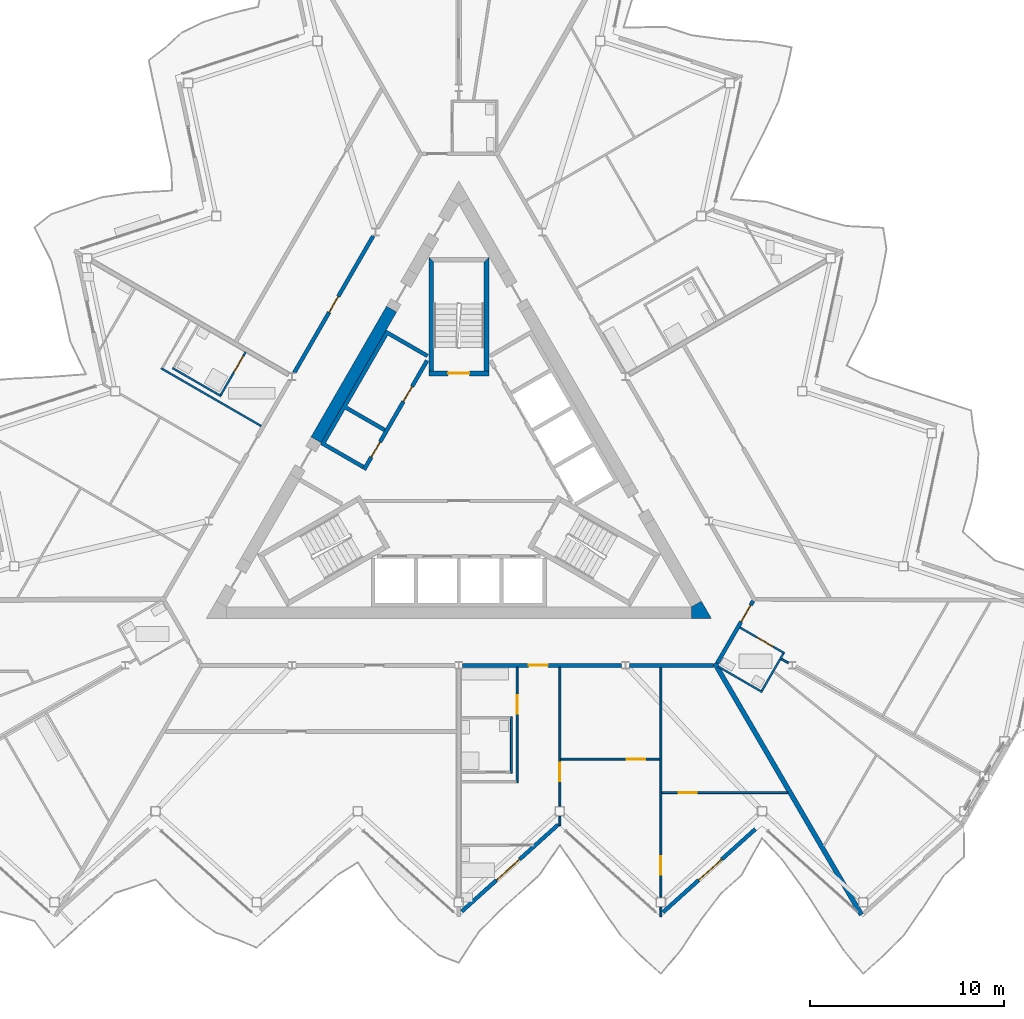
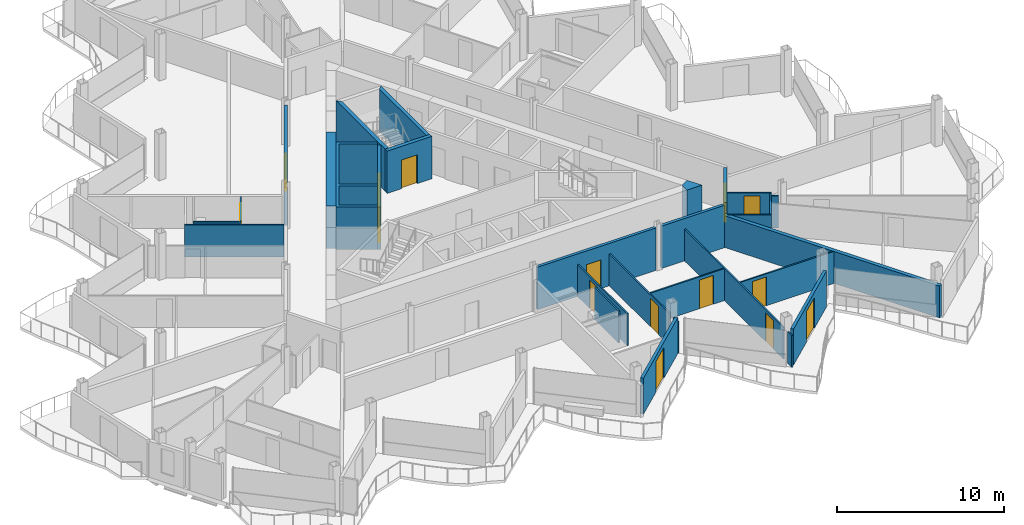
# One storey, part 14 of 26: 29 walls, 15 doors, 15 openings.
"""IFC4 building model written with IfcOpenShell, lengths in metres."""

from ifc_helpers import new_model, si_unit, direction, frame, frame_2d, origin, place, context, subcontext, project, spatial, polyline, rectangle, outline, extrude, material, layer, layer_set, type_object, element, fill, save


model = new_model("IFC4")

# Units and contexts
model_context = context("Model", 3, precision=1e-05, world=origin(), true_north=direction((0.0, 1.0)))
body_context = subcontext(model_context, "Body", "Model", "MODEL_VIEW")
ifc_project = project(units=[si_unit("LENGTHUNIT", "METRE"), si_unit("AREAUNIT", "SQUARE_METRE"), si_unit("VOLUMEUNIT", "CUBIC_METRE"), si_unit("PLANEANGLEUNIT", "RADIAN"), si_unit("MASSUNIT", "GRAM", prefix="KILO")], contexts=[model_context])

# Site, building, storey
site_placement = place(None, origin())
site = spatial("IfcSite", under=ifc_project, at=site_placement, CompositionType="ELEMENT")
building_placement = place(site_placement, origin())
building = spatial("IfcBuilding", under=site, at=building_placement, Name="Cormorant Prow Tower", CompositionType="ELEMENT")
storey_placement = place(building_placement, frame((0.0, 0.0, 364.39990234375)))
storey = spatial("IfcBuildingStorey", under=building, at=storey_placement, Name="L81", CompositionType="ELEMENT", Elevation=364.39990234375)

# Walls
ifc_material_1 = material(Name="Concrete 8000 psi", Category="concrete")
ifc_layer_1 = layer(ifc_material_1, 0.60009765625)
ifc_layer_set_1 = layer_set([ifc_layer_1], Name="Concrete 8000 psi")
wall_type_1 = type_object("IfcWallType", Name="Core shear wall 600", PredefinedType="SHEAR", material=ifc_layer_set_1)
wall_1_placement = place(storey_placement, frame((-3.460693359375, 8.416748046875, 0.0), z_axis=(0.0, 0.0, 1.0), x_axis=(-0.50000391502, -0.866023143435, 0.0)))
element("IfcWall", 1, at=wall_1_placement, inside=storey, type_object=wall_type_1, Name="Core wall", PredefinedType="SHEAR", context=body_context, shape_type="SweptSolid", body=[
    extrude(rectangle(XDim=7.7587890625, YDim=0.60009765625, at=frame_2d((3.87939453125, 0.0))), origin(), (0.0, 0.0, 1.0), 3.10009765625),
])
wall_2_placement = place(storey_placement, origin())
element("IfcWall", 2, at=wall_2_placement, inside=storey, type_object=wall_type_1, Name="Core wall corner", PredefinedType="SHEAR", context=body_context, shape_type="SweptSolid", body=[
    extrude(outline(polyline([(11.960693359375, -7.505615234375), (11.960693359375, -6.905517578125), (12.48046875, -6.605712890625), (13.0, -7.505615234375), (11.960693359375, -7.505615234375)])), origin(), (0.0, 0.0, 1.0), 3.10009765625),
])

# Wall, opening, door
ifc_material_2 = material(Name="Gypsum board corridor wall")
ifc_layer_2 = layer(ifc_material_2, 0.199951171875)
ifc_layer_set_2 = layer_set([ifc_layer_2], Name="Gypsum board corridor wall")
wall_type_2 = type_object("IfcWallType", Name="Corridor wall 200", PredefinedType="PARTITIONING", material=ifc_layer_set_2)
wall_3_placement = place(storey_placement, frame((0.197021484375, -9.905517578125, 0.0), z_axis=(0.0, 0.0, 1.0), x_axis=(1.0, 0.0, 0.0)))
wall_3 = element("IfcWall", 3, at=wall_3_placement, inside=storey, type_object=wall_type_2, Name="Corridor wall", PredefinedType="PARTITIONING", context=body_context, shape_type="SweptSolid", body=[
    extrude(rectangle(XDim=8.1845703125, YDim=0.199951171875, at=frame_2d((4.09228515625, 0.0))), origin(), (0.0, 0.0, 1.0), 3.10009765625),
])
opening_1_placement = place(wall_3_placement, frame((3.3896484375, 0.0, 0.0)))
opening_1 = element("IfcOpeningElement", 4, at=opening_1_placement, cuts=wall_3, Name="Opening L81-F03", PredefinedType="OPENING", context=body_context, shape_type="SweptSolid", body=[
    extrude(rectangle(XDim=1.0, YDim=2.10009765625, at=frame_2d((0.5, 1.050048828125))), frame((0.0, 0.10986328125, 0.0), z_axis=(0.0, -1.0, 0.0), x_axis=(1.0, 0.0, 0.0)), (0.0, 0.0, 1.0), 0.219970703125),
])
ifc_material_3 = material(Name="Timber door leaf", Category="wood")
door_type_1 = type_object("IfcDoorType", Name="Flat or room entrance door 1000x2100", OperationType="NOTDEFINED", PredefinedType="DOOR", material=ifc_material_3)
door_1_placement = place(opening_1_placement, origin())
door_1 = element("IfcDoor", 5, at=door_1_placement, inside=storey, type_object=door_type_1, Name="Living room door", OperationType="SINGLE_SWING_RIGHT", OverallHeight=2.10009765625, OverallWidth=1.0, PredefinedType="DOOR", context=body_context, shape_type="SweptSolid", body=[
    extrude(rectangle(XDim=1.0, YDim=2.10009765625, at=frame_2d((0.5, 1.050048828125))), frame((0.0, 0.02490234375, 0.0), z_axis=(0.0, -1.0, 0.0), x_axis=(1.0, 0.0, 0.0)), (0.0, 0.0, 1.0), 0.050048828125),
])
fill(opening_1, door_1)

wall_4_placement = place(storey_placement, frame((-8.464599609375, 5.14990234375, 0.0), z_axis=(0.0, 0.0, 1.0), x_axis=(0.499992155518, 0.866029932751, 0.0)))
wall_4 = element("IfcWall", 6, at=wall_4_placement, inside=storey, type_object=wall_type_2, Name="Corridor wall", PredefinedType="PARTITIONING", context=body_context, shape_type="SweptSolid", body=[
    extrude(rectangle(XDim=8.123291015625, YDim=0.199951171875, at=frame_2d((4.0615234375, 0.0))), origin(), (0.0, 0.0, 1.0), 3.10009765625),
])
opening_2_placement = place(wall_4_placement, frame((3.586669921875, 0.0, 0.0)))
opening_2 = element("IfcOpeningElement", 7, at=opening_2_placement, cuts=wall_4, Name="Opening L81-F35", PredefinedType="OPENING", context=body_context, shape_type="SweptSolid", body=[
    extrude(rectangle(XDim=0.949951171875, YDim=2.10009765625, at=frame_2d((0.47509765625, 1.050048828125))), frame((0.0, 0.10986328125, 0.0), z_axis=(0.0, -1.0, 0.0), x_axis=(1.0, 0.0, 0.0)), (0.0, 0.0, 1.0), 0.219970703125),
])
ifc_material_4 = material(Name="Timber door leaf", Category="wood")
door_type_2 = type_object("IfcDoorType", Name="Store door 950x2100", OperationType="NOTDEFINED", PredefinedType="DOOR", material=ifc_material_4)
door_2_placement = place(opening_2_placement, origin())
door_2 = element("IfcDoor", 8, at=door_2_placement, inside=storey, type_object=door_type_2, Name="Refuse room door", OperationType="SINGLE_SWING_LEFT", OverallHeight=2.10009765625, OverallWidth=0.949951171875, PredefinedType="DOOR", context=body_context, shape_type="SweptSolid", body=[
    extrude(rectangle(XDim=0.949951171875, YDim=2.10009765625, at=frame_2d((0.47509765625, 1.050048828125))), frame((0.0, 0.02490234375, 0.0), z_axis=(0.0, -1.0, 0.0), x_axis=(1.0, 0.0, 0.0)), (0.0, 0.0, 1.0), 0.050048828125),
])
fill(opening_2, door_2)

# Wall
wall_5_placement = place(storey_placement, frame((8.775390625, -9.905517578125, 0.0), z_axis=(0.0, 0.0, 1.0), x_axis=(1.0, 0.0, 0.0)))
element("IfcWall", 9, at=wall_5_placement, inside=storey, type_object=wall_type_2, Name="Corridor wall", PredefinedType="PARTITIONING", context=body_context, shape_type="SweptSolid", body=[
    extrude(rectangle(XDim=4.33056640625, YDim=0.199951171875, at=frame_2d((2.165283203125, 0.0))), origin(), (0.0, 0.0, 1.0), 3.10009765625),
])

# Wall, opening, door
wall_6_placement = place(storey_placement, frame((13.29345703125, -9.79736328125, 0.0), z_axis=(0.0, 0.0, 1.0), x_axis=(0.499977520935, 0.86603838169, 0.0)))
wall_6 = element("IfcWall", 10, at=wall_6_placement, inside=storey, type_object=wall_type_2, Name="Corridor wall", PredefinedType="PARTITIONING", context=body_context, shape_type="SweptSolid", body=[
    extrude(rectangle(XDim=3.700927734375, YDim=0.199951171875, at=frame_2d((1.8505859375, 0.0))), origin(), (0.0, 0.0, 1.0), 3.10009765625),
])
opening_3_placement = place(wall_6_placement, frame((2.450927734375, 0.0, 0.0)))
opening_3 = element("IfcOpeningElement", 11, at=opening_3_placement, cuts=wall_6, Name="Opening L81-F11", PredefinedType="OPENING", context=body_context, shape_type="SweptSolid", body=[
    extrude(rectangle(XDim=1.0, YDim=2.10009765625, at=frame_2d((0.5, 1.050048828125))), frame((0.0, 0.10986328125, 0.0), z_axis=(0.0, -1.0, 0.0), x_axis=(1.0, 0.0, 0.0)), (0.0, 0.0, 1.0), 0.219970703125),
])
door_3_placement = place(opening_3_placement, origin())
door_3 = element("IfcDoor", 12, at=door_3_placement, inside=storey, type_object=door_type_1, Name="Living room door", OperationType="SINGLE_SWING_RIGHT", OverallHeight=2.10009765625, OverallWidth=1.0, PredefinedType="DOOR", context=body_context, shape_type="SweptSolid", body=[
    extrude(rectangle(XDim=1.0, YDim=2.10009765625, at=frame_2d((0.5, 1.050048828125))), frame((0.0, 0.02490234375, 0.0), z_axis=(0.0, -1.0, 0.0), x_axis=(1.0, 0.0, 0.0)), (0.0, 0.0, 1.0), 0.050048828125),
])
fill(opening_3, door_3)

ifc_material_5 = material(Name="Gypsum board partition")
ifc_layer_3 = layer(ifc_material_5, 0.10009765625)
ifc_layer_set_3 = layer_set([ifc_layer_3], Name="Gypsum board partition")
wall_type_3 = type_object("IfcWallType", Name="Internal partition 100", PredefinedType="PARTITIONING", material=ifc_layer_set_3)
wall_7_placement = place(storey_placement, frame((10.39990234375, -21.827880859375, 0.0), z_axis=(0.0, 0.0, 1.0), x_axis=(0.0, 1.0, 0.0)))
wall_7 = element("IfcWall", 13, at=wall_7_placement, inside=storey, type_object=wall_type_3, Name="Internal partition", PredefinedType="PARTITIONING", context=body_context, shape_type="SweptSolid", body=[
    extrude(rectangle(XDim=11.822265625, YDim=0.10009765625, at=frame_2d((5.9111328125, 0.0))), origin(), (0.0, 0.0, 1.0), 2.330078125),
])
opening_4_placement = place(wall_7_placement, frame((1.15625, 0.0, 0.0)))
opening_4 = element("IfcOpeningElement", 14, at=opening_4_placement, cuts=wall_7, Name="Opening L81-F08", PredefinedType="OPENING", context=body_context, shape_type="SweptSolid", body=[
    extrude(rectangle(XDim=0.949951171875, YDim=2.10009765625, at=frame_2d((0.47509765625, 1.050048828125))), frame((0.0, 0.06005859375, 0.0), z_axis=(0.0, -1.0, 0.0), x_axis=(1.0, 0.0, 0.0)), (0.0, 0.0, 1.0), 0.1201171875),
])
ifc_material_6 = material(Name="Timber door leaf", Category="wood")
door_type_3 = type_object("IfcDoorType", Name="Bathroom door 950x2100", OperationType="NOTDEFINED", PredefinedType="DOOR", material=ifc_material_6)
door_4_placement = place(opening_4_placement, origin())
door_4 = element("IfcDoor", 15, at=door_4_placement, inside=storey, type_object=door_type_3, Name="Bedroom door", OperationType="SINGLE_SWING_RIGHT", OverallHeight=2.10009765625, OverallWidth=0.949951171875, PredefinedType="DOOR", context=body_context, shape_type="SweptSolid", body=[
    extrude(rectangle(XDim=0.949951171875, YDim=2.10009765625, at=frame_2d((0.47509765625, 1.050048828125))), frame((0.0, 0.02490234375, 0.0), z_axis=(0.0, -1.0, 0.0), x_axis=(1.0, 0.0, 0.0)), (0.0, 0.0, 1.0), 0.050048828125),
])
fill(opening_4, door_4)

wall_8_placement = place(storey_placement, frame((5.199951171875, -17.145751953125, 0.0), z_axis=(0.0, 0.0, 1.0), x_axis=(0.0, 1.0, 0.0)))
wall_8 = element("IfcWall", 16, at=wall_8_placement, inside=storey, type_object=wall_type_3, Name="Internal partition", PredefinedType="PARTITIONING", context=body_context, shape_type="SweptSolid", body=[
    extrude(rectangle(XDim=7.14013671875, YDim=0.10009765625, at=frame_2d((3.570068359375, 0.0))), origin(), (0.0, 0.0, 1.0), 2.330078125),
])
opening_5_placement = place(wall_8_placement, frame((1.26611328125, 0.0, 0.0)))
opening_5 = element("IfcOpeningElement", 17, at=opening_5_placement, cuts=wall_8, Name="Opening L81-F06", PredefinedType="OPENING", context=body_context, shape_type="SweptSolid", body=[
    extrude(rectangle(XDim=0.949951171875, YDim=2.10009765625, at=frame_2d((0.47509765625, 1.050048828125))), frame((0.0, 0.06005859375, 0.0), z_axis=(0.0, -1.0, 0.0), x_axis=(1.0, 0.0, 0.0)), (0.0, 0.0, 1.0), 0.1201171875),
])
door_5_placement = place(opening_5_placement, origin())
door_5 = element("IfcDoor", 18, at=door_5_placement, inside=storey, type_object=door_type_3, Name="Living room door", OperationType="SINGLE_SWING_RIGHT", OverallHeight=2.10009765625, OverallWidth=0.949951171875, PredefinedType="DOOR", context=body_context, shape_type="SweptSolid", body=[
    extrude(rectangle(XDim=0.949951171875, YDim=2.10009765625, at=frame_2d((0.47509765625, 1.050048828125))), frame((0.0, 0.02490234375, 0.0), z_axis=(0.0, -1.0, 0.0), x_axis=(1.0, 0.0, 0.0)), (0.0, 0.0, 1.0), 0.050048828125),
])
fill(opening_5, door_5)

wall_9_placement = place(storey_placement, frame((10.449951171875, -16.452880859375, 0.0), z_axis=(0.0, 0.0, 1.0), x_axis=(1.0, 0.0, 0.0)))
wall_9 = element("IfcWall", 19, at=wall_9_placement, inside=storey, type_object=wall_type_3, Name="Internal partition", PredefinedType="PARTITIONING", context=body_context, shape_type="SweptSolid", body=[
    extrude(rectangle(XDim=6.472900390625, YDim=0.10009765625, at=frame_2d((3.236328125, 0.0))), origin(), (0.0, 0.0, 1.0), 2.330078125),
])
opening_6_placement = place(wall_9_placement, frame((0.852783203125, 0.0, 0.0)))
opening_6 = element("IfcOpeningElement", 20, at=opening_6_placement, cuts=wall_9, Name="Opening L81-F09", PredefinedType="OPENING", context=body_context, shape_type="SweptSolid", body=[
    extrude(rectangle(XDim=0.949951171875, YDim=2.10009765625, at=frame_2d((0.47509765625, 1.050048828125))), frame((0.0, 0.06005859375, 0.0), z_axis=(0.0, -1.0, 0.0), x_axis=(1.0, 0.0, 0.0)), (0.0, 0.0, 1.0), 0.1201171875),
])
door_6_placement = place(opening_6_placement, origin())
door_6 = element("IfcDoor", 21, at=door_6_placement, inside=storey, type_object=door_type_3, Name="Bedroom door", OperationType="SINGLE_SWING_LEFT", OverallHeight=2.10009765625, OverallWidth=0.949951171875, PredefinedType="DOOR", context=body_context, shape_type="SweptSolid", body=[
    extrude(rectangle(XDim=0.949951171875, YDim=2.10009765625, at=frame_2d((0.47509765625, 1.050048828125))), frame((0.0, 0.02490234375, 0.0), z_axis=(0.0, -1.0, 0.0), x_axis=(1.0, 0.0, 0.0)), (0.0, 0.0, 1.0), 0.050048828125),
])
fill(opening_6, door_6)

wall_10_placement = place(storey_placement, frame((3.0, -15.95556640625, 0.0), z_axis=(0.0, 0.0, 1.0), x_axis=(0.0, 1.0, 0.0)))
wall_10 = element("IfcWall", 22, at=wall_10_placement, inside=storey, type_object=wall_type_3, Name="Internal partition", PredefinedType="PARTITIONING", context=body_context, shape_type="SweptSolid", body=[
    extrude(rectangle(XDim=5.949951171875, YDim=0.10009765625, at=frame_2d((2.97509765625, 0.0))), origin(), (0.0, 0.0, 1.0), 2.330078125),
])
opening_7_placement = place(wall_10_placement, frame((3.550048828125, 0.0, 0.0)))
opening_7 = element("IfcOpeningElement", 23, at=opening_7_placement, cuts=wall_10, Name="Opening L81-F05", PredefinedType="OPENING", context=body_context, shape_type="SweptSolid", body=[
    extrude(rectangle(XDim=0.949951171875, YDim=2.10009765625, at=frame_2d((0.47509765625, 1.050048828125))), frame((0.0, 0.06005859375, 0.0), z_axis=(0.0, -1.0, 0.0), x_axis=(1.0, 0.0, 0.0)), (0.0, 0.0, 1.0), 0.1201171875),
])
door_7_placement = place(opening_7_placement, origin())
door_7 = element("IfcDoor", 24, at=door_7_placement, inside=storey, type_object=door_type_3, Name="Living room door", OperationType="SINGLE_SWING_LEFT", OverallHeight=2.10009765625, OverallWidth=0.949951171875, PredefinedType="DOOR", context=body_context, shape_type="SweptSolid", body=[
    extrude(rectangle(XDim=0.949951171875, YDim=2.10009765625, at=frame_2d((0.47509765625, 1.050048828125))), frame((0.0, 0.02490234375, 0.0), z_axis=(0.0, -1.0, 0.0), x_axis=(1.0, 0.0, 0.0)), (0.0, 0.0, 1.0), 0.050048828125),
])
fill(opening_7, door_7)

# Wall
wall_11_placement = place(storey_placement, frame((-15.31787109375, 5.379638671875, 0.0), z_axis=(0.0, 0.0, 1.0), x_axis=(0.866035260786, -0.499982926783, 0.0)))
element("IfcWall", 25, at=wall_11_placement, inside=storey, type_object=wall_type_3, Name="Internal partition", PredefinedType="PARTITIONING", context=body_context, shape_type="SweptSolid", body=[
    extrude(rectangle(XDim=5.949951171875, YDim=0.10009765625, at=frame_2d((2.97509765625, 0.0))), origin(), (0.0, 0.0, 1.0), 2.330078125),
])

# Wall, opening, door
wall_12_placement = place(storey_placement, frame((5.25, -14.729248046875, 0.0), z_axis=(0.0, 0.0, 1.0), x_axis=(1.0, 0.0, 0.0)))
wall_12 = element("IfcWall", 26, at=wall_12_placement, inside=storey, type_object=wall_type_3, Name="Internal partition", PredefinedType="PARTITIONING", context=body_context, shape_type="SweptSolid", body=[
    extrude(rectangle(XDim=5.10009765625, YDim=0.10009765625, at=frame_2d((2.550048828125, 0.0))), origin(), (0.0, 0.0, 1.0), 2.330078125),
])
opening_8_placement = place(wall_12_placement, frame((3.39306640625, 0.0, 0.0)))
opening_8 = element("IfcOpeningElement", 27, at=opening_8_placement, cuts=wall_12, Name="Opening L81-F07", PredefinedType="OPENING", context=body_context, shape_type="SweptSolid", body=[
    extrude(rectangle(XDim=0.949951171875, YDim=2.10009765625, at=frame_2d((0.47509765625, 1.050048828125))), frame((0.0, 0.06005859375, 0.0), z_axis=(0.0, -1.0, 0.0), x_axis=(1.0, 0.0, 0.0)), (0.0, 0.0, 1.0), 0.1201171875),
])
door_8_placement = place(opening_8_placement, origin())
door_8 = element("IfcDoor", 28, at=door_8_placement, inside=storey, type_object=door_type_3, Name="Bedroom door", OperationType="SINGLE_SWING_RIGHT", OverallHeight=2.10009765625, OverallWidth=0.949951171875, PredefinedType="DOOR", context=body_context, shape_type="SweptSolid", body=[
    extrude(rectangle(XDim=0.949951171875, YDim=2.10009765625, at=frame_2d((0.47509765625, 1.050048828125))), frame((0.0, 0.02490234375, 0.0), z_axis=(0.0, -1.0, 0.0), x_axis=(1.0, 0.0, 0.0)), (0.0, 0.0, 1.0), 0.050048828125),
])
fill(opening_8, door_8)

# Walls
for number, where, z_axis, x_axis, name in (
    (29, (-14.73486328125, 5.389404296875, 0.0), (0.0, 0.0, 1.0), (0.866032775405, -0.499987231761, 0.0), "Internal partition"),
    (30, (2.699951171875, -15.45556640625, 0.0), (0.0, 0.0, 1.0), (0.0, 1.0, 0.0), "Internal partition"),
):
    element("IfcWall", number, at=place(storey_placement, frame(where, z_axis=z_axis, x_axis=x_axis)), inside=storey, type_object=wall_type_3, Name=name, PredefinedType="PARTITIONING", context=body_context, shape_type="SweptSolid", body=[
        extrude(rectangle(XDim=2.89990234375, YDim=0.10009765625, at=frame_2d((1.449951171875, 0.0))), origin(), (0.0, 0.0, 1.0), 2.330078125),
    ])

# Wall, opening, door
wall_13_placement = place(storey_placement, frame((-12.24169921875, 4.0078125, 0.0), z_axis=(0.0, 0.0, 1.0), x_axis=(0.499948979701, 0.866054858364, 0.0)))
wall_13 = element("IfcWall", 31, at=wall_13_placement, inside=storey, type_object=wall_type_3, Name="Internal partition", PredefinedType="PARTITIONING", context=body_context, shape_type="SweptSolid", body=[
    extrude(rectangle(XDim=2.550048828125, YDim=0.10009765625, at=frame_2d((1.27490234375, 0.0))), origin(), (0.0, 0.0, 1.0), 2.330078125),
])
opening_9_placement = place(wall_13_placement, frame((1.35009765625, 0.0, 0.0)))
opening_9 = element("IfcOpeningElement", 32, at=opening_9_placement, cuts=wall_13, Name="Opening L81-F44", PredefinedType="OPENING", context=body_context, shape_type="SweptSolid", body=[
    extrude(rectangle(XDim=0.949951171875, YDim=2.10009765625, at=frame_2d((0.47509765625, 1.050048828125))), frame((0.0, 0.06005859375, 0.0), z_axis=(0.0, -1.0, 0.0), x_axis=(1.0, 0.0, 0.0)), (0.0, 0.0, 1.0), 0.1201171875),
])
door_9_placement = place(opening_9_placement, origin())
door_9 = element("IfcDoor", 33, at=door_9_placement, inside=storey, type_object=door_type_3, Name="Kitchen door", OperationType="SINGLE_SWING_RIGHT", OverallHeight=2.10009765625, OverallWidth=0.949951171875, PredefinedType="DOOR", context=body_context, shape_type="SweptSolid", body=[
    extrude(rectangle(XDim=0.949951171875, YDim=2.10009765625, at=frame_2d((0.47509765625, 1.050048828125))), frame((0.0, 0.02490234375, 0.0), z_axis=(0.0, -1.0, 0.0), x_axis=(1.0, 0.0, 0.0)), (0.0, 0.0, 1.0), 0.050048828125),
])
fill(opening_9, door_9)

wall_14_placement = place(storey_placement, frame((14.46728515625, -7.963623046875, 0.0), z_axis=(0.0, 0.0, 1.0), x_axis=(0.86601223543, -0.500022807565, 0.0)))
wall_14 = element("IfcWall", 34, at=wall_14_placement, inside=storey, type_object=wall_type_3, Name="Internal partition", PredefinedType="PARTITIONING", context=body_context, shape_type="SweptSolid", body=[
    extrude(rectangle(XDim=2.650390625, YDim=0.10009765625, at=frame_2d((1.3251953125, 0.0))), origin(), (0.0, 0.0, 1.0), 2.330078125),
])
opening_10_placement = place(wall_14_placement, frame((1.013671875, 0.0, 0.0)))
opening_10 = element("IfcOpeningElement", 35, at=opening_10_placement, cuts=wall_14, Name="Opening L81-F12", PredefinedType="OPENING", context=body_context, shape_type="SweptSolid", body=[
    extrude(rectangle(XDim=0.949951171875, YDim=2.10009765625, at=frame_2d((0.47509765625, 1.050048828125))), frame((0.0, 0.06005859375, 0.0), z_axis=(0.0, -1.0, 0.0), x_axis=(1.0, 0.0, 0.0)), (0.0, 0.0, 1.0), 0.1201171875),
])
door_10_placement = place(opening_10_placement, origin())
door_10 = element("IfcDoor", 36, at=door_10_placement, inside=storey, type_object=door_type_3, Name="Living room door", OperationType="SINGLE_SWING_RIGHT", OverallHeight=2.10009765625, OverallWidth=0.949951171875, PredefinedType="DOOR", context=body_context, shape_type="SweptSolid", body=[
    extrude(rectangle(XDim=0.949951171875, YDim=2.10009765625, at=frame_2d((0.47509765625, 1.050048828125))), frame((0.0, 0.02490234375, 0.0), z_axis=(0.0, -1.0, 0.0), x_axis=(1.0, 0.0, 0.0)), (0.0, 0.0, 1.0), 0.050048828125),
])
fill(opening_10, door_10)

# Walls
wall_15_placement = place(storey_placement, frame((13.339111328125, -9.968017578125, 0.0), z_axis=(0.0, 0.0, 1.0), x_axis=(0.866013657776, -0.500020344131, 0.0)))
element("IfcWall", 37, at=wall_15_placement, inside=storey, type_object=wall_type_3, Name="Internal partition", PredefinedType="PARTITIONING", context=body_context, shape_type="SweptSolid", body=[
    extrude(rectangle(XDim=2.625, YDim=0.10009765625, at=frame_2d((1.3125, 0.0))), origin(), (0.0, 0.0, 1.0), 2.330078125),
])
wall_16_placement = place(storey_placement, frame((15.593994140625, -11.21240234375, 0.0), z_axis=(0.0, 0.0, 1.0), x_axis=(0.499981787252, 0.866035918664, 0.0)))
element("IfcWall", 38, at=wall_16_placement, inside=storey, type_object=wall_type_3, Name="Internal partition", PredefinedType="PARTITIONING", context=body_context, shape_type="SweptSolid", body=[
    extrude(rectangle(XDim=2.2001953125, YDim=0.10009765625, at=frame_2d((1.10009765625, 0.0))), origin(), (0.0, 0.0, 1.0), 2.330078125),
])
for number, where, z_axis, x_axis, name in (
    (39, (10.39990234375, -22.83935546875, 0.0), (0.0, 0.0, 1.0), (0.0, 1.0, 0.0), "Internal partition"),
    (40, (5.199951171875, -18.1572265625, 0.0), (0.0, 0.0, 1.0), (0.0, 1.0, 0.0), "Internal partition"),
):
    element("IfcWall", number, at=place(storey_placement, frame(where, z_axis=z_axis, x_axis=x_axis)), inside=storey, type_object=wall_type_3, Name=name, PredefinedType="PARTITIONING", context=body_context, shape_type="SweptSolid", body=[
        extrude(rectangle(XDim=0.491455078125, YDim=0.10009765625, at=frame_2d((0.24560546875, 0.0))), origin(), (0.0, 0.0, 1.0), 2.330078125),
    ])
wall_17_placement = place(storey_placement, frame((16.593994140625, -9.58056640625, 0.0), z_axis=(0.0, 0.0, 1.0), x_axis=(0.866137484628, -0.499805820016, 0.0)))
element("IfcWall", 41, at=wall_17_placement, inside=storey, type_object=wall_type_3, Name="Internal partition", PredefinedType="PARTITIONING", context=body_context, shape_type="SweptSolid", body=[
    extrude(rectangle(XDim=0.422607421875, YDim=0.10009765625, at=frame_2d((0.21142578125, 0.0))), origin(), (0.0, 0.0, 1.0), 2.330078125),
])

# Wall, openings, doors
ifc_material_7 = material(Name="Concrete 5000 psi", Category="concrete")
ifc_layer_4 = layer(ifc_material_7, 0.199951171875)
ifc_layer_set_4 = layer_set([ifc_layer_4], Name="Concrete 5000 psi")
wall_type_4 = type_object("IfcWallType", Name="Lift lobby wall 200", PredefinedType="SOLIDWALL", material=ifc_layer_set_4)
wall_18_placement = place(storey_placement, frame((-1.630615234375, 5.775634765625, 0.0), z_axis=(0.0, 0.0, 1.0), x_axis=(-0.499992876559, -0.866029516466, 0.0)))
wall_18 = element("IfcWall", 42, at=wall_18_placement, inside=storey, type_object=wall_type_4, Name="Lift lobby wall, WNW block", PredefinedType="SOLIDWALL", context=body_context, shape_type="SweptSolid", body=[
    extrude(rectangle(XDim=6.486328125, YDim=0.199951171875, at=frame_2d((3.2431640625, 0.0))), origin(), (0.0, 0.0, 1.0), 3.10009765625),
])
opening_11_placement = place(wall_18_placement, frame((1.53662109375, 0.0, 0.0)))
opening_11 = element("IfcOpeningElement", 43, at=opening_11_placement, cuts=wall_18, Name="Opening L81-C09", PredefinedType="OPENING", context=body_context, shape_type="SweptSolid", body=[
    extrude(rectangle(XDim=0.89990234375, YDim=2.10009765625, at=frame_2d((0.449951171875, 1.050048828125))), frame((0.0, 0.10986328125, 0.0), z_axis=(0.0, -1.0, 0.0), x_axis=(1.0, 0.0, 0.0)), (0.0, 0.0, 1.0), 0.219970703125),
])
opening_12_placement = place(wall_18_placement, frame((4.836669921875, 0.0, 0.0)))
opening_12 = element("IfcOpeningElement", 44, at=opening_12_placement, cuts=wall_18, Name="Opening L81-C10", PredefinedType="OPENING", context=body_context, shape_type="SweptSolid", body=[
    extrude(rectangle(XDim=0.89990234375, YDim=2.10009765625, at=frame_2d((0.449951171875, 1.050048828125))), frame((0.0, 0.10986328125, 0.0), z_axis=(0.0, -1.0, 0.0), x_axis=(1.0, 0.0, 0.0)), (0.0, 0.0, 1.0), 0.219970703125),
])
ifc_material_8 = material(Name="Painted steel", Category="steel")
door_type_4 = type_object("IfcDoorType", Name="Service door 900x2100", OperationType="NOTDEFINED", PredefinedType="DOOR", material=ifc_material_8)
door_11_placement = place(opening_11_placement, origin())
door_11 = element("IfcDoor", 45, at=door_11_placement, inside=storey, type_object=door_type_4, Name="Service door, Telecom room", OperationType="SINGLE_SWING_LEFT", OverallHeight=2.10009765625, OverallWidth=0.89990234375, PredefinedType="DOOR", context=body_context, shape_type="SweptSolid", body=[
    extrude(rectangle(XDim=0.89990234375, YDim=2.10009765625, at=frame_2d((0.449951171875, 1.050048828125))), frame((0.0, 0.02490234375, 0.0), z_axis=(0.0, -1.0, 0.0), x_axis=(1.0, 0.0, 0.0)), (0.0, 0.0, 1.0), 0.050048828125),
])
fill(opening_11, door_11)
door_12_placement = place(opening_12_placement, origin())
door_12 = element("IfcDoor", 46, at=door_12_placement, inside=storey, type_object=door_type_4, Name="Service door, Electrical room", OperationType="SINGLE_SWING_LEFT", OverallHeight=2.10009765625, OverallWidth=0.89990234375, PredefinedType="DOOR", context=body_context, shape_type="SweptSolid", body=[
    extrude(rectangle(XDim=0.89990234375, YDim=2.10009765625, at=frame_2d((0.449951171875, 1.050048828125))), frame((0.0, 0.02490234375, 0.0), z_axis=(0.0, -1.0, 0.0), x_axis=(1.0, 0.0, 0.0)), (0.0, 0.0, 1.0), 0.050048828125),
])
fill(opening_12, door_12)

# Walls
ifc_material_9 = material(Name="Concrete 8000 psi", Category="concrete")
ifc_layer_5 = layer(ifc_material_9, 0.199951171875)
ifc_layer_set_5 = layer_set([ifc_layer_5], Name="Concrete 8000 psi")
wall_type_5 = type_object("IfcWallType", Name="Lift shaft wall 200", PredefinedType="SHEAR", material=ifc_layer_set_5)
wall_19_placement = place(storey_placement, origin())
element("IfcWall", 47, at=wall_19_placement, inside=storey, type_object=wall_type_5, Name="Lift shaft walls, WNW block", PredefinedType="SHEAR", context=body_context, shape_type="SweptSolid", body=[
    extrude(outline(polyline([(-4.96044921875, 0.2080078125), (-7.130859375, 1.461181640625), (-3.730712890625, 7.35009765625), (-1.560546875, 6.09716796875), (-1.660400390625, 5.923828125), (-3.65234375, 7.073974609375), (-5.75244140625, 3.4365234375), (-3.760498046875, 2.28662109375), (-3.860595703125, 2.11328125), (-5.852294921875, 3.263427734375), (-6.852294921875, 1.53125), (-4.860595703125, 0.38134765625), (-4.96044921875, 0.2080078125)])), origin(), (0.0, 0.0, 1.0), 3.10009765625),
])
ifc_material_10 = material(Name="Concrete 8000 psi", Category="concrete")
ifc_layer_6 = layer(ifc_material_10, 0.25)
ifc_layer_set_6 = layer_set([ifc_layer_6], Name="Concrete 8000 psi")
wall_type_6 = type_object("IfcWallType", Name="Stair wall 250", PredefinedType="SHEAR", material=ifc_layer_set_6)
wall_20_placement = place(storey_placement, origin())
element("IfcWall", 48, at=wall_20_placement, inside=storey, type_object=wall_type_6, Name="Stair ST3 enclosure wall (flank)", PredefinedType="SHEAR", context=body_context, shape_type="SweptSolid", body=[
    extrude(outline(polyline([(1.5439453125, 5.23681640625), (1.5439453125, 11.0869140625), (1.2939453125, 10.8369140625), (1.2939453125, 5.23681640625), (1.5439453125, 5.23681640625)])), origin(), (0.0, 0.0, 1.0), 3.10009765625),
])
wall_21_placement = place(storey_placement, origin())
element("IfcWall", 49, at=wall_21_placement, inside=storey, type_object=wall_type_6, Name="Stair ST3 enclosure wall (flank)", PredefinedType="SHEAR", context=body_context, shape_type="SweptSolid", body=[
    extrude(outline(polyline([(-1.2939453125, 10.8369140625), (-1.5439453125, 11.0869140625), (-1.5439453125, 5.23681640625), (-1.2939453125, 5.23681640625), (-1.2939453125, 10.8369140625)])), origin(), (0.0, 0.0, 1.0), 3.10009765625),
])

# Wall, opening, door
wall_22_placement = place(storey_placement, frame((1.5439453125, 5.11181640625, 0.0), z_axis=(0.0, 0.0, 1.0), x_axis=(-1.0, 0.0, 0.0)))
wall_22 = element("IfcWall", 50, at=wall_22_placement, inside=storey, type_object=wall_type_6, Name="Stair ST3 door wall", PredefinedType="SHEAR", context=body_context, shape_type="SweptSolid", body=[
    extrude(rectangle(XDim=3.087890625, YDim=0.25, at=frame_2d((1.5439453125, 0.0))), origin(), (0.0, 0.0, 1.0), 3.10009765625),
])
opening_13_placement = place(wall_22_placement, frame((0.993896484375, 0.0, 0.0)))
opening_13 = element("IfcOpeningElement", 51, at=opening_13_placement, cuts=wall_22, Name="Opening L81-C14", PredefinedType="OPENING", context=body_context, shape_type="SweptSolid", body=[
    extrude(rectangle(XDim=1.10009765625, YDim=2.10009765625, at=frame_2d((0.550048828125, 1.050048828125))), frame((0.0, 0.135009765625, 0.0), z_axis=(0.0, -1.0, 0.0), x_axis=(1.0, 0.0, 0.0)), (0.0, 0.0, 1.0), 0.27001953125),
])
ifc_material_11 = material(Name="Painted steel", Category="steel")
door_type_5 = type_object("IfcDoorType", Name="Stair door 1100x2100", OperationType="NOTDEFINED", PredefinedType="DOOR", material=ifc_material_11)
door_13_placement = place(opening_13_placement, origin())
door_13 = element("IfcDoor", 52, at=door_13_placement, inside=storey, type_object=door_type_5, Name="Stair ST3 door", OperationType="SINGLE_SWING_RIGHT", OverallHeight=2.10009765625, OverallWidth=1.10009765625, PredefinedType="DOOR", context=body_context, shape_type="SweptSolid", body=[
    extrude(rectangle(XDim=1.10009765625, YDim=2.10009765625, at=frame_2d((0.550048828125, 1.050048828125))), frame((0.0, 0.02490234375, 0.0), z_axis=(0.0, -1.0, 0.0), x_axis=(1.0, 0.0, 0.0)), (0.0, 0.0, 1.0), 0.050048828125),
])
fill(opening_13, door_13)

# Wall
ifc_material_12 = material(Name="Acoustic gypsum party wall")
ifc_layer_7 = layer(ifc_material_12, 0.25)
ifc_layer_set_7 = layer_set([ifc_layer_7], Name="Acoustic gypsum party wall")
wall_type_7 = type_object("IfcWallType", Name="Suite party wall 250", PredefinedType="PARTITIONING", material=ifc_layer_set_7)
wall_23_placement = place(storey_placement, frame((13.16796875, -9.797607421875, 0.0), z_axis=(0.0, 0.0, 1.0), x_axis=(0.503632750219, -0.863917850786, 0.0)))
element("IfcWall", 53, at=wall_23_placement, inside=storey, type_object=wall_type_7, Name="Suite party wall", PredefinedType="PARTITIONING", context=body_context, shape_type="SweptSolid", body=[
    extrude(rectangle(XDim=14.97216796875, YDim=0.25, at=frame_2d((7.486083984375, 0.0))), origin(), (0.0, 0.0, 1.0), 2.330078125),
])

# Wall, opening, door
ifc_material_13 = material(Name="Terracotta", Category="masonry")
ifc_layer_8 = layer(ifc_material_13, 0.199951171875)
ifc_layer_set_8 = layer_set([ifc_layer_8], Name="Terracotta")
wall_type_8 = type_object("IfcWallType", Name="Terracotta jamb wall 200", PredefinedType="SOLIDWALL", material=ifc_layer_set_8)
wall_24_placement = place(storey_placement, frame((0.153564453125, -22.566650390625, 0.0), z_axis=(0.0, 0.0, 1.0), x_axis=(0.743150529995, 0.669124270796, 0.0)))
wall_24 = element("IfcWall", 54, at=wall_24_placement, inside=storey, type_object=wall_type_8, Name="Terracotta jamb wall S05", PredefinedType="SOLIDWALL", context=body_context, shape_type="SweptSolid", body=[
    extrude(rectangle(XDim=6.678466796875, YDim=0.199951171875, at=frame_2d((3.33935546875, 0.0))), origin(), (0.0, 0.0, 1.0), 2.634033203125),
])
opening_14_placement = place(wall_24_placement, frame((2.402099609375, 0.0, 0.0)))
opening_14 = element("IfcOpeningElement", 55, at=opening_14_placement, cuts=wall_24, Name="Opening ED81.03", PredefinedType="OPENING", context=body_context, shape_type="SweptSolid", body=[
    extrude(rectangle(XDim=1.60009765625, YDim=2.25, at=frame_2d((0.800048828125, 1.125))), frame((0.0, 0.10986328125, 0.0), z_axis=(0.0, -1.0, 0.0), x_axis=(1.0, 0.0, 0.0)), (0.0, 0.0, 1.0), 0.219970703125),
])
ifc_material_14 = material(Name="Aluminium 6063-T6", Category="aluminium")
door_type_6 = type_object("IfcDoorType", Name="Balcony door 1600x2250", OperationType="DOUBLE_DOOR_SINGLE_SWING", PredefinedType="DOOR", material=ifc_material_14)
door_14_placement = place(opening_14_placement, origin())
door_14 = element("IfcDoor", 56, at=door_14_placement, inside=storey, type_object=door_type_6, Name="Balcony door S05 ED81.03", OperationType="DOUBLE_DOOR_SINGLE_SWING", OverallHeight=2.25, OverallWidth=1.60009765625, PredefinedType="DOOR", context=body_context, shape_type="SweptSolid", body=[
    extrude(rectangle(XDim=1.60009765625, YDim=2.25, at=frame_2d((0.800048828125, 1.125))), frame((0.0, 0.02490234375, 0.0), z_axis=(0.0, -1.0, 0.0), x_axis=(1.0, 0.0, 0.0)), (0.0, 0.0, 1.0), 0.050048828125),
])
fill(opening_14, door_14)

wall_25_placement = place(storey_placement, frame((10.50341796875, -22.611572265625, 0.0), z_axis=(0.0, 0.0, 1.0), x_axis=(0.743148117717, 0.669126949939, 0.0)))
wall_25 = element("IfcWall", 57, at=wall_25_placement, inside=storey, type_object=wall_type_8, Name="Terracotta jamb wall S07", PredefinedType="SOLIDWALL", context=body_context, shape_type="SweptSolid", body=[
    extrude(rectangle(XDim=6.40185546875, YDim=0.199951171875, at=frame_2d((3.200927734375, 0.0))), origin(), (0.0, 0.0, 1.0), 2.634033203125),
])
opening_15_placement = place(wall_25_placement, frame((2.46923828125, 0.0, 0.0)))
opening_15 = element("IfcOpeningElement", 58, at=opening_15_placement, cuts=wall_25, Name="Opening ED81.04", PredefinedType="OPENING", context=body_context, shape_type="SweptSolid", body=[
    extrude(rectangle(XDim=1.60009765625, YDim=2.25, at=frame_2d((0.800048828125, 1.125))), frame((0.0, 0.10986328125, 0.0), z_axis=(0.0, -1.0, 0.0), x_axis=(1.0, 0.0, 0.0)), (0.0, 0.0, 1.0), 0.219970703125),
])
door_15_placement = place(opening_15_placement, origin())
door_15 = element("IfcDoor", 59, at=door_15_placement, inside=storey, type_object=door_type_6, Name="Balcony door S07 ED81.04", OperationType="DOUBLE_DOOR_SINGLE_SWING", OverallHeight=2.25, OverallWidth=1.60009765625, PredefinedType="DOOR", context=body_context, shape_type="SweptSolid", body=[
    extrude(rectangle(XDim=1.60009765625, YDim=2.25, at=frame_2d((0.800048828125, 1.125))), frame((0.0, 0.02490234375, 0.0), z_axis=(0.0, -1.0, 0.0), x_axis=(1.0, 0.0, 0.0)), (0.0, 0.0, 1.0), 0.050048828125),
])
fill(opening_15, door_15)

save(model, "model.ifc")
